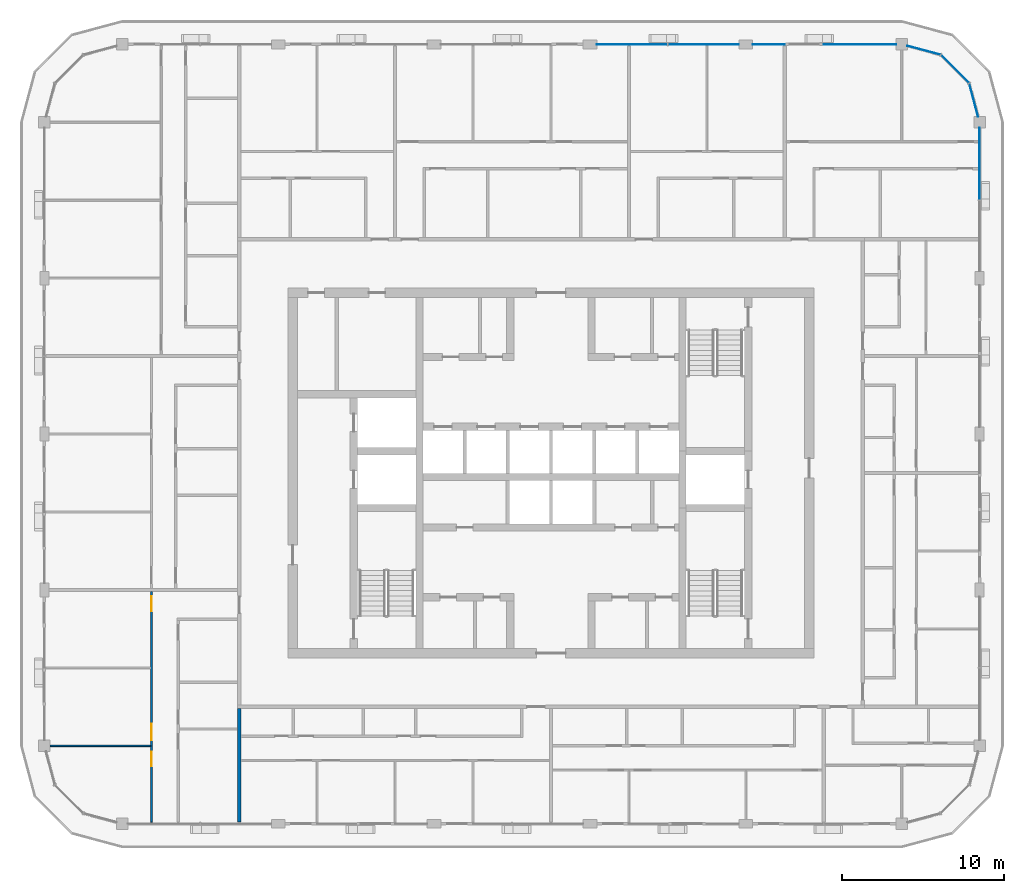
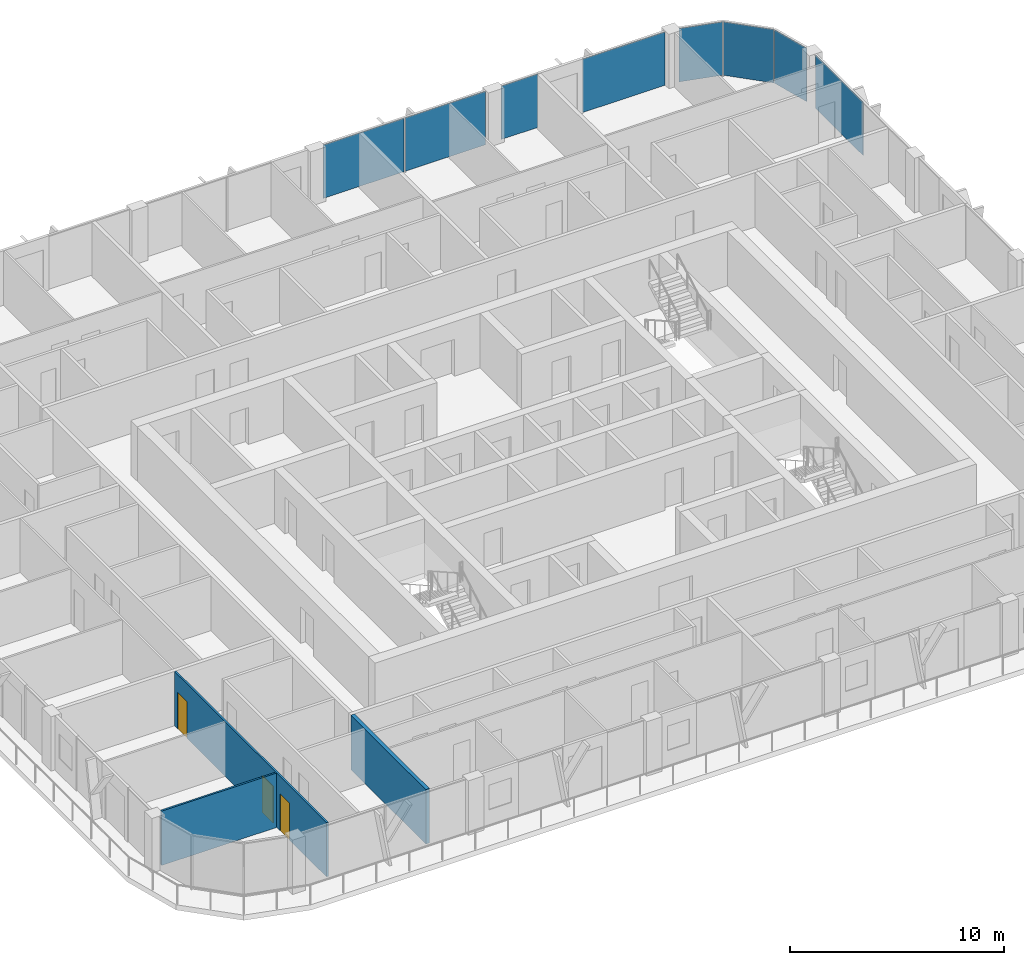
# One storey, part 8 of 22: 8 plates, 3 doors, 3 walls, 3 openings, 4 elements without a shape of their own.
"""IFC4 building model written with IfcOpenShell, lengths in metres."""

from ifc_helpers import new_model, si_unit, direction, frame, frame_2d, origin, origin_2d, place, context, subcontext, project, spatial, rectangle, extrude, material, layer, layer_set, type_object, element, fill, aggregate, save


model = new_model("IFC4")

# Units and contexts
model_context = context("Model", 3, precision=1e-05, world=origin(), true_north=direction((0.0, 1.0)))
body_context = subcontext(model_context, "Body", "Model", "MODEL_VIEW")
ifc_project = project(units=[si_unit("LENGTHUNIT", "METRE"), si_unit("AREAUNIT", "SQUARE_METRE"), si_unit("VOLUMEUNIT", "CUBIC_METRE"), si_unit("PLANEANGLEUNIT", "RADIAN"), si_unit("MASSUNIT", "GRAM", prefix="KILO")], contexts=[model_context])

# Site, building, storey
site_placement = place(None, origin())
site = spatial("IfcSite", under=ifc_project, at=site_placement, CompositionType="ELEMENT")
building_placement = place(site_placement, origin())
building = spatial("IfcBuilding", under=site, at=building_placement, Name="Madar Terraces", CompositionType="ELEMENT")
storey_placement = place(building_placement, frame((0.0, 0.0, 259.699951171875)))
storey = spatial("IfcBuildingStorey", under=building, at=storey_placement, Name="L68", CompositionType="ELEMENT", Elevation=259.699951171875)

# Curtain wall, plate
ifc_material_1 = material(Name="Glass, ceramic frit dark grey, with black aluminium frame", Category="aluminium")
ifc_layer_1 = layer(ifc_material_1, 0.199951171875)
ifc_layer_set_1 = layer_set([ifc_layer_1], Name="Facade curtain wall, fritted glass")
curtain_wall_type = type_object("IfcCurtainWallType", Name="Facade curtain wall, fritted glass", PredefinedType="NOTDEFINED", material=ifc_layer_set_1)
curtain_wall_1_placement = place(storey_placement, origin())
curtain_wall_1 = element("IfcCurtainWall", 1, at=curtain_wall_1_placement, inside=storey, type_object=curtain_wall_type, Name="Outer skin curtain wall east bay 4", PredefinedType="NOTDEFINED")
ifc_material_2 = material(Name="Glass, ceramic frit dark grey", Category="glass")
ifc_layer_2 = layer(ifc_material_2, 0.028076171875)
ifc_layer_set_2 = layer_set([ifc_layer_2], Name="Facade glass panel 28")
plate_type = type_object("IfcPlateType", Name="Facade glass panel 28", PredefinedType="CURTAIN_PANEL", material=ifc_layer_set_2)
plate_1_placement = place(storey_placement, frame((57.60009765625, 45.43994140625, 0.0), z_axis=(0.0, 0.0, 1.0), x_axis=(0.0, 1.0, 0.0)))
plate_1 = element("IfcPlate", 2, at=plate_1_placement, type_object=plate_type, Name="Panel 2", PredefinedType="CURTAIN_PANEL", context=body_context, shape_type="SweptSolid", body=[
    extrude(rectangle(XDim=4.419921875, YDim=0.028076171875, at=origin_2d()), origin(), (0.0, 0.0, 1.0), 3.0400390625),
])
aggregate(curtain_wall_1, [plate_1])

# Curtain wall, plates
curtain_wall_2_placement = place(storey_placement, origin())
curtain_wall_2 = element("IfcCurtainWall", 3, at=curtain_wall_2_placement, inside=storey, type_object=curtain_wall_type, Name="Outer skin curtain wall north bay 1", PredefinedType="NOTDEFINED")
plate_2_placement = place(storey_placement, frame((50.22509765625, 52.800048828125, 0.0), z_axis=(0.0, 0.0, 1.0), x_axis=(-1.0, 0.0, 0.0)))
plate_2 = element("IfcPlate", 4, at=plate_2_placement, type_object=plate_type, Name="Panel 1", PredefinedType="CURTAIN_PANEL", context=body_context, shape_type="SweptSolid", body=[
    extrude(rectangle(XDim=4.449951171875, YDim=0.028076171875, at=origin_2d()), origin(), (0.0, 0.0, 1.0), 3.0400390625),
])
plate_3_placement = place(storey_placement, frame((44.612548828125, 52.800048828125, 0.0), z_axis=(0.0, 0.0, 1.0), x_axis=(-1.0, 0.0, 0.0)))
plate_3 = element("IfcPlate", 5, at=plate_3_placement, type_object=plate_type, Name="Panel 2", PredefinedType="CURTAIN_PANEL", context=body_context, shape_type="SweptSolid", body=[
    extrude(rectangle(XDim=1.97509765625, YDim=0.028076171875, at=origin_2d()), origin(), (0.0, 0.0, 1.0), 3.0400390625),
])
aggregate(curtain_wall_2, [plate_2, plate_3])

curtain_wall_3_placement = place(storey_placement, origin())
curtain_wall_3 = element("IfcCurtainWall", 6, at=curtain_wall_3_placement, inside=storey, type_object=curtain_wall_type, Name="Outer skin curtain wall north bay 2", PredefinedType="NOTDEFINED")
plate_4_placement = place(storey_placement, frame((40.6025390625, 52.800048828125, 0.0), z_axis=(0.0, 0.0, 1.0), x_axis=(-1.0, 0.0, 0.0)))
plate_4 = element("IfcPlate", 7, at=plate_4_placement, type_object=plate_type, Name="Panel 1", PredefinedType="CURTAIN_PANEL", context=body_context, shape_type="SweptSolid", body=[
    extrude(rectangle(XDim=4.344970703125, YDim=0.028076171875, at=origin_2d()), origin(), (0.0, 0.0, 1.0), 3.0400390625),
])
plate_5_placement = place(storey_placement, frame((36.197509765625, 52.800048828125, 0.0), z_axis=(0.0, 0.0, 1.0), x_axis=(-1.0, 0.0, 0.0)))
plate_5 = element("IfcPlate", 8, at=plate_5_placement, type_object=plate_type, Name="Panel 2", PredefinedType="CURTAIN_PANEL", context=body_context, shape_type="SweptSolid", body=[
    extrude(rectangle(XDim=4.344970703125, YDim=0.028076171875, at=origin_2d()), origin(), (0.0, 0.0, 1.0), 3.0400390625),
])
aggregate(curtain_wall_3, [plate_4, plate_5])

curtain_wall_4_placement = place(storey_placement, origin())
curtain_wall_4 = element("IfcCurtainWall", 9, at=curtain_wall_4_placement, inside=storey, type_object=curtain_wall_type, Name="Outer skin curtain wall north-east corner", PredefinedType="NOTDEFINED")
plate_6_placement = place(storey_placement, frame((57.2353515625, 49.360595703125, 0.0), z_axis=(0.0, 0.0, 1.0), x_axis=(-0.258819021888, 0.965925832509, 0.0)))
plate_6 = element("IfcPlate", 10, at=plate_6_placement, type_object=plate_type, Name="Panel 1", PredefinedType="CURTAIN_PANEL", context=body_context, shape_type="SweptSolid", body=[
    extrude(rectangle(XDim=2.09228515625, YDim=0.028076171875, at=origin_2d()), origin(), (0.0, 0.0, 1.0), 3.0400390625),
])
plate_7_placement = place(storey_placement, frame((56.078369140625, 51.278564453125, 0.0), z_axis=(0.0, 0.0, 1.0), x_axis=(-0.707106781187, 0.707106781187, 0.0)))
plate_7 = element("IfcPlate", 11, at=plate_7_placement, type_object=plate_type, Name="Panel 2", PredefinedType="CURTAIN_PANEL", context=body_context, shape_type="SweptSolid", body=[
    extrude(rectangle(XDim=2.424560546875, YDim=0.028076171875, at=origin_2d()), origin(), (0.0, 0.0, 1.0), 3.0400390625),
])
plate_8_placement = place(storey_placement, frame((54.160400390625, 52.435546875, 0.0), z_axis=(0.0, 0.0, 1.0), x_axis=(-0.965925832509, 0.258819021888, 0.0)))
plate_8 = element("IfcPlate", 12, at=plate_8_placement, type_object=plate_type, Name="Panel 3", PredefinedType="CURTAIN_PANEL", context=body_context, shape_type="SweptSolid", body=[
    extrude(rectangle(XDim=2.09228515625, YDim=0.028076171875, at=origin_2d()), origin(), (0.0, 0.0, 1.0), 3.0400390625),
])
aggregate(curtain_wall_4, [plate_6, plate_7, plate_8])

# Wall
ifc_material_3 = material(Name="Gypsum board on steel studs", Category="steel")
ifc_layer_3 = layer(ifc_material_3, 0.10009765625)
ifc_layer_set_3 = layer_set([ifc_layer_3], Name="Flat partition 100")
wall_type_1 = type_object("IfcWallType", Name="Flat partition 100", PredefinedType="PARTITIONING", material=ifc_layer_set_3)
wall_1_placement = place(storey_placement, frame((6.550048828125, 9.60009765625, 0.0), z_axis=(0.0, 0.0, 1.0), x_axis=(-1.0, 0.0, 0.0)))
element("IfcWall", 13, at=wall_1_placement, inside=storey, type_object=wall_type_1, Name="Flat partition 100", PredefinedType="PARTITIONING", context=body_context, shape_type="SweptSolid", body=[
    extrude(rectangle(XDim=6.199951171875, YDim=0.10009765625, at=frame_2d((3.10009765625, 0.0))), origin(), (0.0, 0.0, 1.0), 3.10009765625),
])

# Wall, openings, doors
wall_2_placement = place(storey_placement, frame((6.60009765625, 4.89990234375, 0.0), z_axis=(0.0, 0.0, 1.0), x_axis=(0.0, 1.0, 0.0)))
wall_2 = element("IfcWall", 14, at=wall_2_placement, inside=storey, type_object=wall_type_1, Name="Flat partition 100", PredefinedType="PARTITIONING", context=body_context, shape_type="SweptSolid", body=[
    extrude(rectangle(XDim=14.2001953125, YDim=0.10009765625, at=frame_2d((7.10009765625, 0.0))), origin(), (0.0, 0.0, 1.0), 3.10009765625),
])
opening_1_placement = place(wall_2_placement, frame((13.0, 0.0, 0.0)))
opening_1 = element("IfcOpeningElement", 15, at=opening_1_placement, cuts=wall_2, Name="Opening D2", PredefinedType="OPENING", context=body_context, shape_type="SweptSolid", body=[
    extrude(rectangle(XDim=0.89990234375, YDim=2.10009765625, at=frame_2d((0.449951171875, 1.050048828125))), frame((0.0, 0.06005859375, 0.0), z_axis=(0.0, -1.0, 0.0), x_axis=(1.0, 0.0, 0.0)), (0.0, 0.0, 1.0), 0.1201171875),
])
opening_2_placement = place(wall_2_placement, frame((5.050048828125, 0.0, 0.0)))
opening_2 = element("IfcOpeningElement", 16, at=opening_2_placement, cuts=wall_2, Name="Opening D3", PredefinedType="OPENING", context=body_context, shape_type="SweptSolid", body=[
    extrude(rectangle(XDim=1.0, YDim=2.10009765625, at=frame_2d((0.5, 1.050048828125))), frame((0.0, 0.06005859375, 0.0), z_axis=(0.0, -1.0, 0.0), x_axis=(1.0, 0.0, 0.0)), (0.0, 0.0, 1.0), 0.1201171875),
])
opening_3_placement = place(wall_2_placement, frame((3.449951171875, 0.0, 0.0)))
opening_3 = element("IfcOpeningElement", 17, at=opening_3_placement, cuts=wall_2, Name="Opening D2", PredefinedType="OPENING", context=body_context, shape_type="SweptSolid", body=[
    extrude(rectangle(XDim=0.89990234375, YDim=2.10009765625, at=frame_2d((0.449951171875, 1.050048828125))), frame((0.0, 0.06005859375, 0.0), z_axis=(0.0, -1.0, 0.0), x_axis=(1.0, 0.0, 0.0)), (0.0, 0.0, 1.0), 0.1201171875),
])
ifc_material_4 = material(Name="Timber door leaf", Category="wood")
door_type_1 = type_object("IfcDoorType", Name="Flat living room door 1000", OperationType="NOTDEFINED", PredefinedType="DOOR", material=ifc_material_4)
door_1_placement = place(opening_2_placement, origin())
door_1 = element("IfcDoor", 18, at=door_1_placement, inside=storey, type_object=door_type_1, Name="Flat living room door 1000", OperationType="SINGLE_SWING_LEFT", OverallHeight=2.10009765625, OverallWidth=1.0, PredefinedType="DOOR", context=body_context, shape_type="SweptSolid", body=[
    extrude(rectangle(XDim=1.0, YDim=2.10009765625, at=frame_2d((0.5, 1.050048828125))), frame((0.0, 0.02490234375, 0.0), z_axis=(0.0, -1.0, 0.0), x_axis=(1.0, 0.0, 0.0)), (0.0, 0.0, 1.0), 0.050048828125),
])
fill(opening_2, door_1)
ifc_material_5 = material(Name="Timber door leaf", Category="wood")
door_type_2 = type_object("IfcDoorType", Name="Flat room door 900", OperationType="NOTDEFINED", PredefinedType="DOOR", material=ifc_material_5)
door_2_placement = place(opening_1_placement, origin())
door_2 = element("IfcDoor", 19, at=door_2_placement, inside=storey, type_object=door_type_2, Name="Flat room door 900", OperationType="SINGLE_SWING_RIGHT", OverallHeight=2.10009765625, OverallWidth=0.89990234375, PredefinedType="DOOR", context=body_context, shape_type="SweptSolid", body=[
    extrude(rectangle(XDim=0.89990234375, YDim=2.10009765625, at=frame_2d((0.449951171875, 1.050048828125))), frame((0.0, 0.02490234375, 0.0), z_axis=(0.0, -1.0, 0.0), x_axis=(1.0, 0.0, 0.0)), (0.0, 0.0, 1.0), 0.050048828125),
])
fill(opening_1, door_2)
door_3_placement = place(opening_3_placement, origin())
door_3 = element("IfcDoor", 20, at=door_3_placement, inside=storey, type_object=door_type_2, Name="Flat room door 900", OperationType="SINGLE_SWING_RIGHT", OverallHeight=2.10009765625, OverallWidth=0.89990234375, PredefinedType="DOOR", context=body_context, shape_type="SweptSolid", body=[
    extrude(rectangle(XDim=0.89990234375, YDim=2.10009765625, at=frame_2d((0.449951171875, 1.050048828125))), frame((0.0, 0.02490234375, 0.0), z_axis=(0.0, -1.0, 0.0), x_axis=(1.0, 0.0, 0.0)), (0.0, 0.0, 1.0), 0.050048828125),
])
fill(opening_3, door_3)

# Wall
ifc_material_6 = material(Name="Lightweight blockwork", Category="masonry")
ifc_layer_4 = layer(ifc_material_6, 0.199951171875)
ifc_layer_set_4 = layer_set([ifc_layer_4], Name="Flat party and entrance wall 200")
wall_type_2 = type_object("IfcWallType", Name="Flat party and entrance wall 200", PredefinedType="PARTITIONING", material=ifc_layer_set_4)
wall_3_placement = place(storey_placement, frame((12.0, 4.89990234375, 0.0), z_axis=(0.0, 0.0, 1.0), x_axis=(0.0, 1.0, 0.0)))
element("IfcWall", 21, at=wall_3_placement, inside=storey, type_object=wall_type_2, Name="Flat party and entrance wall 200", PredefinedType="PARTITIONING", context=body_context, shape_type="SweptSolid", body=[
    extrude(rectangle(XDim=7.0, YDim=0.199951171875, at=frame_2d((3.5, 0.0))), origin(), (0.0, 0.0, 1.0), 3.10009765625),
])

save(model, "model.ifc")
